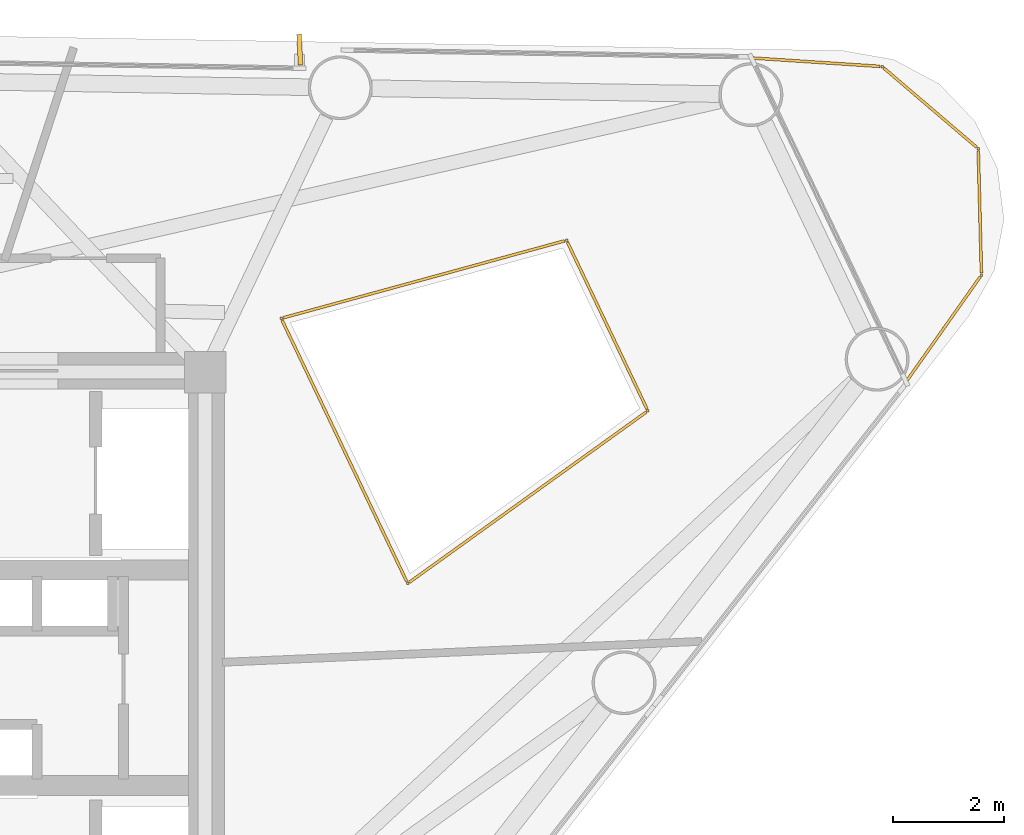
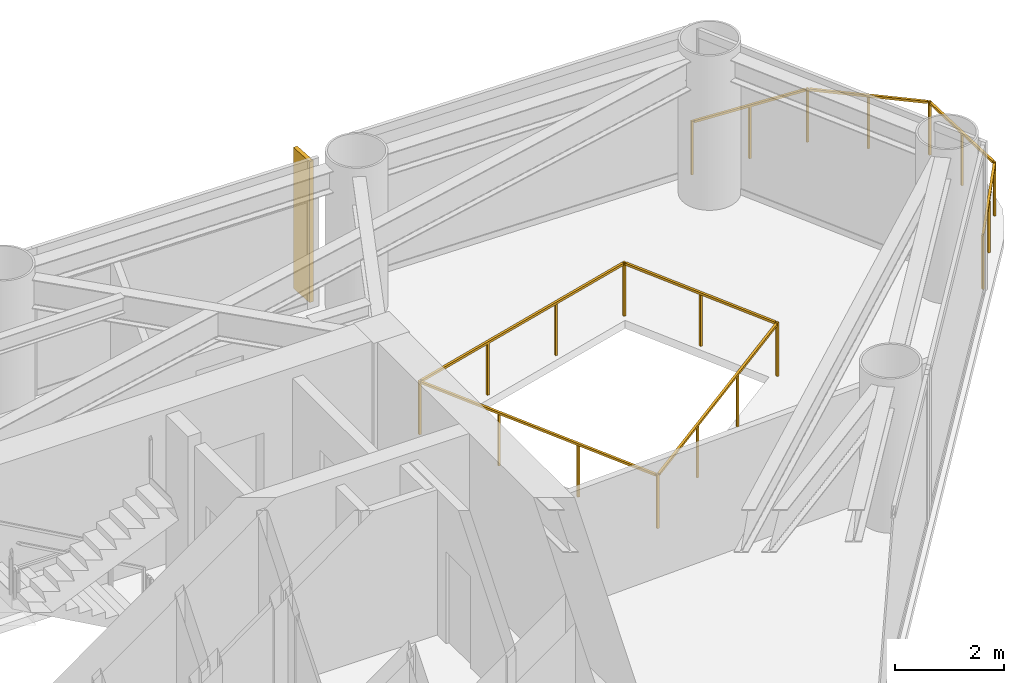
# One storey, part 9 of 9: 2 railings, 1 shading device.
"""IFC4 building model written with IfcOpenShell, lengths in metres."""

import ifcopenshell
import ifcopenshell.guid

model = None  # the IFC model being written
_history = None  # IfcOwnerHistory: only IFC2X3 demands one
_inside = {}  # id of a spatial element -> (the spatial element, [elements in it])
_under = {}  # id of a project, library or spatial element -> (it, [spatial elements below it])
_declared = {}  # id of a project -> (the project, [libraries it declares])
_typed = {}  # id of a type object -> (the type object, [elements of that type])
_made_of = {}  # id of a material, layer set ... -> (it, [elements and type objects made of it])


def new_model(schema):
    """Start an empty IFC model of exactly this schema.

    Asked for "IFC4X3", IfcOpenShell would pick the latest addendum, in which some entities
    have other attributes; the version numbers below select the first issue.
    IFC2X3 requires an IfcOwnerHistory on every rooted entity: one is made here for all.
    """
    global model, _history
    if schema == "IFC4X3":
        model = ifcopenshell.file(schema_version=(4, 3, 0, 0))
    else:
        model = ifcopenshell.file(schema=schema)
    _inside.clear()
    _under.clear()
    _declared.clear()
    _typed.clear()
    _made_of.clear()
    _history = None
    if model.schema == "IFC2X3":
        org = make("IfcOrganization", Name="unknown")
        user = make(
            "IfcPersonAndOrganization",
            ThePerson=make("IfcPerson", FamilyName="unknown"),
            TheOrganization=org,
        )
        app = make(
            "IfcApplication",
            ApplicationDeveloper=org,
            Version="unknown",
            ApplicationFullName="unknown",
            ApplicationIdentifier="unknown",
        )
        _history = make(
            "IfcOwnerHistory",
            OwningUser=user,
            OwningApplication=app,
            ChangeAction="ADDED",
            CreationDate=0,
        )
    return model


def make(cls, **values):
    """One entity of the class cls with the attributes given. An attribute that is None is left unset."""
    return model.create_entity(
        cls, **{name: value for name, value in values.items() if value is not None}
    )


def rooted(cls, **values):
    """An entity with a GlobalId (a new one), such as an element, a storey or a relation."""
    return make(cls, GlobalId=ifcopenshell.guid.new(), OwnerHistory=_history, **values)


def si_unit(unit_type, name, prefix=None):
    """IfcSIUnit, for example si_unit("LENGTHUNIT", "METRE", prefix="MILLI")."""
    return make("IfcSIUnit", UnitType=unit_type, Prefix=prefix, Name=name)


def assignment(units):
    """IfcUnitAssignment: the units of a project."""
    return None if units is None else make("IfcUnitAssignment", Units=units)


def point(xyz):
    """IfcCartesianPoint."""
    return None if xyz is None else make("IfcCartesianPoint", Coordinates=xyz)


def direction(xyz):
    """IfcDirection."""
    return None if xyz is None else make("IfcDirection", DirectionRatios=xyz)


def frame(location, z_axis=None, x_axis=None):
    """IfcAxis2Placement3D, a coordinate frame: its origin and axes. An axis left out is left unset."""
    return make(
        "IfcAxis2Placement3D",
        Location=point(location),
        Axis=direction(z_axis),
        RefDirection=direction(x_axis),
    )


def frame_2d(location, x_axis=None):
    """IfcAxis2Placement2D, a coordinate frame in the plane: its origin and x axis."""
    return make(
        "IfcAxis2Placement2D", Location=point(location), RefDirection=direction(x_axis)
    )


def origin():
    """The frame at (0, 0, 0) with its axes left unset."""
    return frame((0.0, 0.0, 0.0))


def origin_2d():
    """The frame at (0, 0) in the plane with its x axis left unset."""
    return frame_2d((0.0, 0.0))


def place(relative_to, where):
    """IfcLocalPlacement: puts the frame where relative to a parent placement (None: the world)."""
    return make(
        "IfcLocalPlacement", PlacementRelTo=relative_to, RelativePlacement=where
    )


def context(
    kind, dimensions, precision=None, world=None, true_north=None, identifier=None
):
    """IfcGeometricRepresentationContext, for example the 3D "Model" context."""
    return make(
        "IfcGeometricRepresentationContext",
        ContextIdentifier=identifier,
        ContextType=kind,
        CoordinateSpaceDimension=dimensions,
        Precision=precision,
        WorldCoordinateSystem=world,
        TrueNorth=true_north,
    )


def subcontext(parent, identifier, kind, view, scale=None):
    """IfcGeometricRepresentationSubContext, for example "Body" below "Model"."""
    return make(
        "IfcGeometricRepresentationSubContext",
        ContextIdentifier=identifier,
        ContextType=kind,
        ParentContext=parent,
        TargetScale=scale,
        TargetView=view,
    )


def project(units=None, contexts=None):
    """IfcProject with its units and contexts."""
    return rooted(
        "IfcProject",
        Name="project",
        RepresentationContexts=contexts,
        UnitsInContext=assignment(units),
    )


def spatial(cls, under=None, at=None, **own):
    """A site, building, storey or space (cls), placed at a placement, below another one or the project."""
    s = rooted(cls, ObjectPlacement=at, **own)
    if under is not None:
        _under.setdefault(under.id(), (under, []))[1].append(s)
    return s


def profile(cls, at=None, kind="AREA", **sizes):
    """A parametric profile (cls). Its sizes go by their IFC names, for example OverallWidth=200.0."""
    return make(cls, ProfileType=kind, Position=at, **sizes)


def rectangle(**sizes):
    """IfcRectangleProfileDef."""
    return profile("IfcRectangleProfileDef", **sizes)


def extrude(swept, where, along, depth):
    """IfcExtrudedAreaSolid: the profile swept, set in the frame where, extruded along a direction by depth."""
    return make(
        "IfcExtrudedAreaSolid",
        SweptArea=swept,
        Position=where,
        ExtrudedDirection=direction(along),
        Depth=depth,
    )


def shape(context_of_items, identifier, shape_type, items):
    """IfcShapeRepresentation: the items that make up one representation, for example the "Body"."""
    return make(
        "IfcShapeRepresentation",
        ContextOfItems=context_of_items,
        RepresentationIdentifier=identifier,
        RepresentationType=shape_type,
        Items=items,
    )


def source(mapping_origin, context_of_items, identifier, shape_type, items):
    """IfcRepresentationMap: a shape defined once, which mapped items show again and again."""
    return make(
        "IfcRepresentationMap",
        MappingOrigin=mapping_origin,
        MappedRepresentation=shape(context_of_items, identifier, shape_type, items),
    )


def transform(
    local_origin,
    x_axis=None,
    y_axis=None,
    z_axis=None,
    scale=None,
    scale2=None,
    scale3=None,
    uniform=True,
):
    """IfcCartesianTransformationOperator3D, or its non-uniform kind. x_axis, y_axis, z_axis: its Axis1, 2, 3."""
    if uniform:
        return make(
            "IfcCartesianTransformationOperator3D",
            Axis1=direction(x_axis),
            Axis2=direction(y_axis),
            LocalOrigin=point(local_origin),
            Scale=scale,
            Axis3=direction(z_axis),
        )
    return make(
        "IfcCartesianTransformationOperator3DnonUniform",
        Axis1=direction(x_axis),
        Axis2=direction(y_axis),
        LocalOrigin=point(local_origin),
        Scale=scale,
        Axis3=direction(z_axis),
        Scale2=scale2,
        Scale3=scale3,
    )


def mapped(mapping_source, mapping_target):
    """IfcMappedItem: shows the shape of a source again, moved by a transform."""
    return make(
        "IfcMappedItem", MappingSource=mapping_source, MappingTarget=mapping_target
    )


def material(Name=None, Category=None):
    """IfcMaterial."""
    return make("IfcMaterial", Name=Name, Category=Category)


def material_profile(
    of_material, cross_section, Name=None, Category=None, Priority=None
):
    """IfcMaterialProfile: a cross section and its material."""
    return make(
        "IfcMaterialProfile",
        Name=Name,
        Material=of_material,
        Profile=cross_section,
        Priority=Priority,
        Category=Category,
    )


def profile_set(profiles, Name=None, composite=None):
    """IfcMaterialProfileSet."""
    return make(
        "IfcMaterialProfileSet",
        Name=Name,
        MaterialProfiles=profiles,
        CompositeProfile=composite,
    )


def made_of(thing, what):
    """Note that an element or type object is made of a material, layer set ...; save() writes the relation."""
    if what is not None:
        _made_of.setdefault(what.id(), (what, []))[1].append(thing)
    return thing


def type_object(cls, material=None, **own):
    """A type object (cls), such as IfcWallType, which elements share."""
    return made_of(rooted(cls, **own), material)


def element(
    cls,
    number,
    at=None,
    inside=None,
    cuts=None,
    type_object=None,
    material=None,
    context=None,
    identifier="Body",
    shape_type=None,
    held_by="IfcProductDefinitionShape",
    body=None,
    shapes=None,
    **own,
):
    """One element of the class cls, such as IfcWall. Its Tag is "e" and its number.

    at: its placement. inside: the storey or other place that contains it. cuts: it is an
    opening in that element (IfcRelVoidsElement). A single representation is given by context,
    identifier, shape_type and body (its items); several are given by shapes. held_by: the class
    of the entity that holds the representations. save() writes the other relations.
    """
    e = rooted(cls, Tag="e%d" % number, ObjectPlacement=at, **own)
    if body is not None:
        shapes = [shape(context, identifier, shape_type, body)]
    if shapes is not None:
        e.Representation = make(held_by, Representations=shapes)
    if inside is not None:
        _inside.setdefault(inside.id(), (inside, []))[1].append(e)
    if cuts is not None:
        rooted(
            "IfcRelVoidsElement", RelatingBuildingElement=cuts, RelatedOpeningElement=e
        )
    if type_object is not None:
        _typed.setdefault(type_object.id(), (type_object, []))[1].append(e)
    return made_of(e, material)


def aggregate(whole, parts):
    """IfcRelAggregates: a whole, such as a stair, and the parts it consists of."""
    return rooted("IfcRelAggregates", RelatingObject=whole, RelatedObjects=parts)


def save(model, path):
    """Write the relations noted so far, then the file.

    IfcRelAggregates (storeys below a building ...), IfcRelContainedInSpatialStructure (elements
    in a storey), IfcRelDefinesByType, IfcRelAssociatesMaterial and IfcRelDeclares: one each for
    every whole, place, type object, material and project.
    """
    for whole, parts in _under.values():
        aggregate(whole, parts)
    for where, things in _inside.values():
        rooted(
            "IfcRelContainedInSpatialStructure",
            RelatedElements=things,
            RelatingStructure=where,
        )
    for kind, things in _typed.values():
        rooted("IfcRelDefinesByType", RelatedObjects=things, RelatingType=kind)
    for what, things in _made_of.values():
        rooted("IfcRelAssociatesMaterial", RelatedObjects=things, RelatingMaterial=what)
    for by, libraries in _declared.values():
        rooted("IfcRelDeclares", RelatingContext=by, RelatedDefinitions=libraries)
    model.write(path)


model = new_model("IFC4")

# Units and contexts
model_context = context("Model", 3, precision=1e-05, world=origin(), true_north=direction((0.0, 1.0)))
body_context = subcontext(model_context, "Body", "Model", "MODEL_VIEW")
ifc_project = project(units=[si_unit("LENGTHUNIT", "METRE"), si_unit("AREAUNIT", "SQUARE_METRE"), si_unit("VOLUMEUNIT", "CUBIC_METRE"), si_unit("PLANEANGLEUNIT", "RADIAN"), si_unit("MASSUNIT", "GRAM", prefix="KILO")], contexts=[model_context])

# Site, building, storey
site_placement = place(None, origin())
site = spatial("IfcSite", under=ifc_project, at=site_placement, CompositionType="ELEMENT")
building_placement = place(site_placement, origin())
building = spatial("IfcBuilding", under=site, at=building_placement, Name="Yunling Apex Tower", CompositionType="ELEMENT")
storey_placement = place(building_placement, frame((0.0, 0.0, 208.699951171875)))
storey = spatial("IfcBuildingStorey", under=building, at=storey_placement, Name="L51", CompositionType="ELEMENT", Elevation=208.699951171875)

# Railings
ifc_material = material(Name="Bronze anodised aluminium", Category="aluminium")
railing_type = type_object("IfcRailingType", Name="RL-BAL-1200", PredefinedType="BALUSTRADE", material=ifc_material)
railing_1_placement = place(storey_placement, frame((15.8828125, 11.15380859375, 0.0)))
element("IfcRailing", 1, at=railing_1_placement, inside=storey, type_object=railing_type, Name="RL-CRNSILL-L51-1", PredefinedType="BALUSTRADE", context=body_context, shape_type="SweptSolid", body=[
    extrude(rectangle(XDim=0.0439453125, YDim=0.0439453125, at=origin_2d()), origin(), (0.0, 0.0, 1.0), 1.199951171875),
    extrude(rectangle(XDim=0.0439453125, YDim=0.0439453125, at=origin_2d()), frame((2.349365234375, -0.154541015625, 0.0)), (0.0, 0.0, 1.0), 1.199951171875),
    extrude(rectangle(XDim=0.050048828125, YDim=0.050048828125, at=origin_2d()), frame((0.038330078125, -0.00244140625, 1.1748046875), z_axis=(0.997843498088, -0.065638047832, 0.0), x_axis=(0.065638047832, 0.997843498088, 0.0)), (0.0, 0.0, 1.0), 2.27783203125),
    extrude(rectangle(XDim=0.0439453125, YDim=0.0439453125, at=origin_2d()), frame((1.1748046875, -0.0771484375, 0.0)), (0.0, 0.0, 1.0), 1.14599609375),
    extrude(rectangle(XDim=0.0439453125, YDim=0.0439453125, at=origin_2d()), frame((4.080322265625, -1.6318359375, 0.0)), (0.0, 0.0, 1.0), 1.199951171875),
    extrude(rectangle(XDim=0.050048828125, YDim=0.050048828125, at=origin_2d()), frame((2.37841796875, -0.179443359375, 1.1748046875), z_axis=(0.760640732553, -0.6491730709, 0.0), x_axis=(0.6491730709, 0.760640732553, 0.0)), (0.0, 0.0, 1.0), 2.198974609375),
    extrude(rectangle(XDim=0.0439453125, YDim=0.0439453125, at=origin_2d()), frame((3.21484375, -0.89306640625, 0.0)), (0.0, 0.0, 1.0), 1.14599609375),
    extrude(rectangle(XDim=0.0439453125, YDim=0.0439453125, at=origin_2d()), frame((4.138916015625, -3.90673828125, 0.0)), (0.0, 0.0, 1.0), 1.199951171875),
    extrude(rectangle(XDim=0.050048828125, YDim=0.050048828125, at=origin_2d()), frame((4.081298828125, -1.670166015625, 1.1748046875), z_axis=(0.025748060881, -0.999668463722, 0.0), x_axis=(0.999668463722, 0.025748060881, 0.0)), (0.0, 0.0, 1.0), 2.198974609375),
    extrude(rectangle(XDim=0.0439453125, YDim=0.0439453125, at=origin_2d()), frame((4.109619140625, -2.769287109375, 0.0)), (0.0, 0.0, 1.0), 1.14599609375),
    extrude(rectangle(XDim=0.0439453125, YDim=0.0439453125, at=origin_2d()), frame((2.78076171875, -5.829833984375, 0.0)), (0.0, 0.0, 1.0), 1.199951171875),
    extrude(rectangle(XDim=0.050048828125, YDim=0.050048828125, at=origin_2d()), frame((4.11669921875, -3.93798828125, 1.1748046875), z_axis=(-0.57687453298, -0.81683276942, 0.0), x_axis=(0.81683276942, -0.57687453298, 0.0)), (0.0, 0.0, 1.0), 2.277587890625),
    extrude(rectangle(XDim=0.0439453125, YDim=0.0439453125, at=origin_2d()), frame((3.4599609375, -4.8681640625, 0.0)), (0.0, 0.0, 1.0), 1.14599609375),
])
railing_2_placement = place(storey_placement, frame((7.41845703125, 6.46728515625, 0.0)))
element("IfcRailing", 2, at=railing_2_placement, inside=storey, type_object=railing_type, Name="RL-TATR-L51", PredefinedType="BALUSTRADE", context=body_context, shape_type="SweptSolid", body=[
    extrude(rectangle(XDim=0.0439453125, YDim=0.0439453125, at=origin_2d()), origin(), (0.0, 0.0, 1.0), 1.199951171875),
    extrude(rectangle(XDim=0.0439453125, YDim=0.0439453125, at=origin_2d()), frame((5.135498046875, 1.404541015625, 0.0)), (0.0, 0.0, 1.0), 1.199951171875),
    extrude(rectangle(XDim=0.050048828125, YDim=0.050048828125, at=origin_2d()), frame((0.036865234375, 0.010009765625, 1.1748046875), z_axis=(0.964575212807, 0.263807996162, 0.0), x_axis=(-0.263807996162, 0.964575212807, 0.0)), (0.0, 0.0, 1.0), 5.24755859375),
    extrude(rectangle(XDim=0.0439453125, YDim=0.0439453125, at=origin_2d()), frame((1.7119140625, 0.46826171875, 0.0)), (0.0, 0.0, 1.0), 1.14599609375),
    extrude(rectangle(XDim=0.0439453125, YDim=0.0439453125, at=origin_2d()), frame((3.423583984375, 0.936279296875, 0.0)), (0.0, 0.0, 1.0), 1.14599609375),
    extrude(rectangle(XDim=0.0439453125, YDim=0.0439453125, at=origin_2d()), frame((6.599609375, -1.664794921875, 0.0)), (0.0, 0.0, 1.0), 1.199951171875),
    extrude(rectangle(XDim=0.050048828125, YDim=0.050048828125, at=origin_2d()), frame((5.152099609375, 1.369873046875, 1.1748046875), z_axis=(0.430538211034, -0.902572351028, 0.0), x_axis=(0.902572351028, 0.430538211034, 0.0)), (0.0, 0.0, 1.0), 3.323974609375),
    extrude(rectangle(XDim=0.0439453125, YDim=0.0439453125, at=origin_2d()), frame((5.86767578125, -0.130126953125, 0.0)), (0.0, 0.0, 1.0), 1.14599609375),
    extrude(rectangle(XDim=0.0439453125, YDim=0.0439453125, at=origin_2d()), frame((2.276123046875, -4.77197265625, 0.0)), (0.0, 0.0, 1.0), 1.199951171875),
    extrude(rectangle(XDim=0.050048828125, YDim=0.050048828125, at=origin_2d()), frame((6.568603515625, -1.687255859375, 1.1748046875), z_axis=(-0.812044572196, -0.583595418733, 0.0), x_axis=(0.583595418733, -0.812044572196, 0.0)), (0.0, 0.0, 1.0), 5.24755859375),
    extrude(rectangle(XDim=0.0439453125, YDim=0.0439453125, at=origin_2d()), frame((5.158447265625, -2.700439453125, 0.0)), (0.0, 0.0, 1.0), 1.14599609375),
    extrude(rectangle(XDim=0.0439453125, YDim=0.0439453125, at=origin_2d()), frame((3.71728515625, -3.736328125, 0.0)), (0.0, 0.0, 1.0), 1.14599609375),
    extrude(rectangle(XDim=0.050048828125, YDim=0.050048828125, at=origin_2d()), frame((2.259521484375, -4.7373046875, 1.1748046875), z_axis=(-0.430512460038, 0.902584634121, 0.0), x_axis=(-0.902584634121, -0.430512460038, 0.0)), (0.0, 0.0, 1.0), 5.21044921875),
    extrude(rectangle(XDim=0.0439453125, YDim=0.0439453125, at=origin_2d()), frame((1.517333984375, -3.181396484375, 0.0)), (0.0, 0.0, 1.0), 1.14599609375),
    extrude(rectangle(XDim=0.0439453125, YDim=0.0439453125, at=origin_2d()), frame((0.7587890625, -1.590576171875, 0.0)), (0.0, 0.0, 1.0), 1.14599609375),
])

# Shading device
ifc_material_profile = material_profile(ifc_material, rectangle(XDim=0.0849609375, YDim=0.550048828125, at=origin_2d()))
ifc_profile_set = profile_set([ifc_material_profile], Name="Bronze anodised aluminium")
shading_device_type = type_object("IfcShadingDeviceType", Name="FN-BRZ-3", PredefinedType="USERDEFINED", material=ifc_profile_set)
shared_shape = source(origin(), body_context, "Body", "SweptSolid", [
    extrude(rectangle(XDim=0.0849609375, YDim=0.550048828125, at=origin_2d()), origin(), (0.0, 0.0, 1.0), 3.14990234375),
])
shading_device_placement = place(storey_placement, frame((7.75341796875, 11.30517578125, 0.06005859375), z_axis=(0.0, 0.0, 1.0), x_axis=(-0.998814648022, -0.048675444496, 0.0)))
element("IfcShadingDevice", 3, at=shading_device_placement, inside=storey, type_object=shading_device_type, Name="CW-L51-F2-B2-FIN-01", ObjectType="FIN", PredefinedType="USERDEFINED", context=body_context, shape_type="MappedRepresentation", body=[
    mapped(shared_shape, transform((0.0, 0.0, 0.0), scale=1.0)),
])

save(model, "model.ifc")
